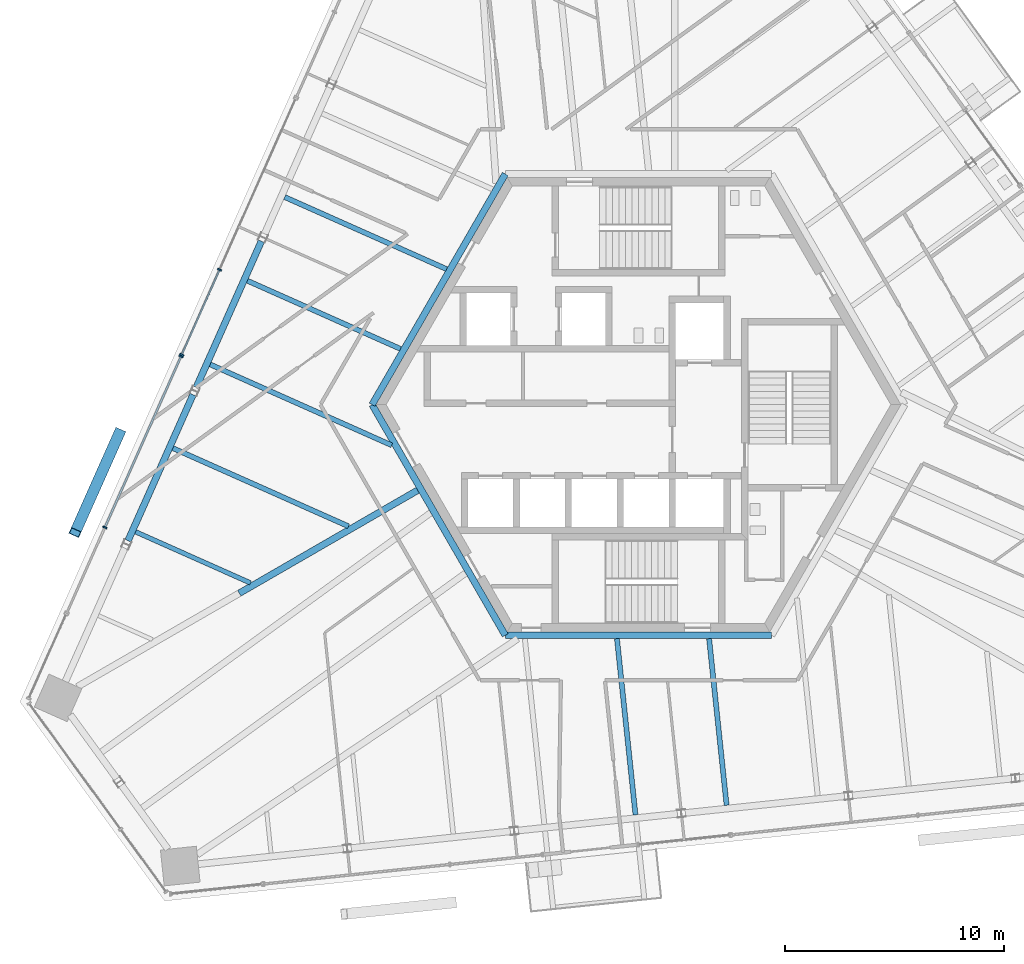
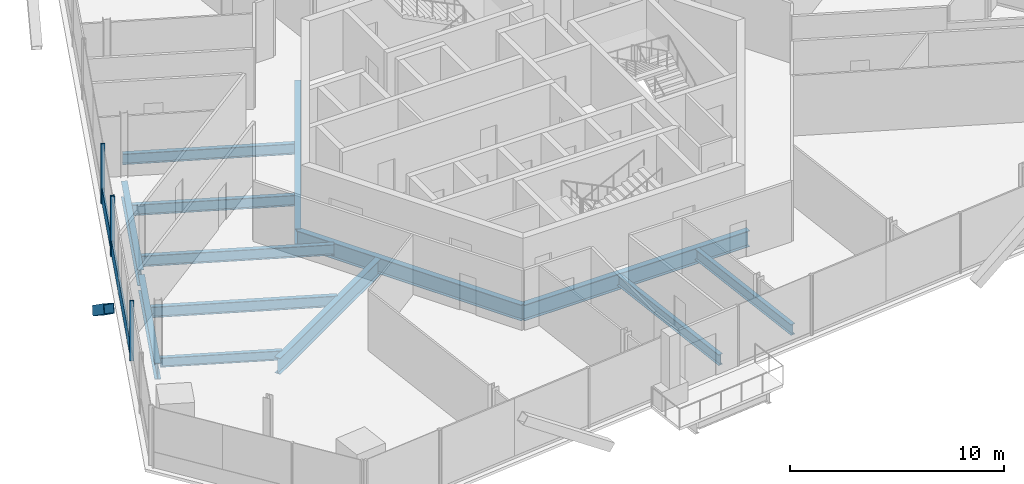
# One storey, part 5 of 19: 13 beams, 7 members, 2 elements without a shape of their own.
"""IFC4 building model written with IfcOpenShell, lengths in metres."""

import ifcopenshell
import ifcopenshell.guid

model = None  # the IFC model being written
_history = None  # IfcOwnerHistory: only IFC2X3 demands one
_inside = {}  # id of a spatial element -> (the spatial element, [elements in it])
_under = {}  # id of a project, library or spatial element -> (it, [spatial elements below it])
_declared = {}  # id of a project -> (the project, [libraries it declares])
_typed = {}  # id of a type object -> (the type object, [elements of that type])
_made_of = {}  # id of a material, layer set ... -> (it, [elements and type objects made of it])


def new_model(schema):
    """Start an empty IFC model of exactly this schema.

    Asked for "IFC4X3", IfcOpenShell would pick the latest addendum, in which some entities
    have other attributes; the version numbers below select the first issue.
    IFC2X3 requires an IfcOwnerHistory on every rooted entity: one is made here for all.
    """
    global model, _history
    if schema == "IFC4X3":
        model = ifcopenshell.file(schema_version=(4, 3, 0, 0))
    else:
        model = ifcopenshell.file(schema=schema)
    _inside.clear()
    _under.clear()
    _declared.clear()
    _typed.clear()
    _made_of.clear()
    _history = None
    if model.schema == "IFC2X3":
        org = make("IfcOrganization", Name="unknown")
        user = make(
            "IfcPersonAndOrganization",
            ThePerson=make("IfcPerson", FamilyName="unknown"),
            TheOrganization=org,
        )
        app = make(
            "IfcApplication",
            ApplicationDeveloper=org,
            Version="unknown",
            ApplicationFullName="unknown",
            ApplicationIdentifier="unknown",
        )
        _history = make(
            "IfcOwnerHistory",
            OwningUser=user,
            OwningApplication=app,
            ChangeAction="ADDED",
            CreationDate=0,
        )
    return model


def make(cls, **values):
    """One entity of the class cls with the attributes given. An attribute that is None is left unset."""
    return model.create_entity(
        cls, **{name: value for name, value in values.items() if value is not None}
    )


def rooted(cls, **values):
    """An entity with a GlobalId (a new one), such as an element, a storey or a relation."""
    return make(cls, GlobalId=ifcopenshell.guid.new(), OwnerHistory=_history, **values)


def si_unit(unit_type, name, prefix=None):
    """IfcSIUnit, for example si_unit("LENGTHUNIT", "METRE", prefix="MILLI")."""
    return make("IfcSIUnit", UnitType=unit_type, Prefix=prefix, Name=name)


def assignment(units):
    """IfcUnitAssignment: the units of a project."""
    return None if units is None else make("IfcUnitAssignment", Units=units)


def point(xyz):
    """IfcCartesianPoint."""
    return None if xyz is None else make("IfcCartesianPoint", Coordinates=xyz)


def direction(xyz):
    """IfcDirection."""
    return None if xyz is None else make("IfcDirection", DirectionRatios=xyz)


def frame(location, z_axis=None, x_axis=None):
    """IfcAxis2Placement3D, a coordinate frame: its origin and axes. An axis left out is left unset."""
    return make(
        "IfcAxis2Placement3D",
        Location=point(location),
        Axis=direction(z_axis),
        RefDirection=direction(x_axis),
    )


def frame_2d(location, x_axis=None):
    """IfcAxis2Placement2D, a coordinate frame in the plane: its origin and x axis."""
    return make(
        "IfcAxis2Placement2D", Location=point(location), RefDirection=direction(x_axis)
    )


def origin():
    """The frame at (0, 0, 0) with its axes left unset."""
    return frame((0.0, 0.0, 0.0))


def origin_2d():
    """The frame at (0, 0) in the plane with its x axis left unset."""
    return frame_2d((0.0, 0.0))


def place(relative_to, where):
    """IfcLocalPlacement: puts the frame where relative to a parent placement (None: the world)."""
    return make(
        "IfcLocalPlacement", PlacementRelTo=relative_to, RelativePlacement=where
    )


def context(
    kind, dimensions, precision=None, world=None, true_north=None, identifier=None
):
    """IfcGeometricRepresentationContext, for example the 3D "Model" context."""
    return make(
        "IfcGeometricRepresentationContext",
        ContextIdentifier=identifier,
        ContextType=kind,
        CoordinateSpaceDimension=dimensions,
        Precision=precision,
        WorldCoordinateSystem=world,
        TrueNorth=true_north,
    )


def subcontext(parent, identifier, kind, view, scale=None):
    """IfcGeometricRepresentationSubContext, for example "Body" below "Model"."""
    return make(
        "IfcGeometricRepresentationSubContext",
        ContextIdentifier=identifier,
        ContextType=kind,
        ParentContext=parent,
        TargetScale=scale,
        TargetView=view,
    )


def project(units=None, contexts=None):
    """IfcProject with its units and contexts."""
    return rooted(
        "IfcProject",
        Name="project",
        RepresentationContexts=contexts,
        UnitsInContext=assignment(units),
    )


def spatial(cls, under=None, at=None, **own):
    """A site, building, storey or space (cls), placed at a placement, below another one or the project."""
    s = rooted(cls, ObjectPlacement=at, **own)
    if under is not None:
        _under.setdefault(under.id(), (under, []))[1].append(s)
    return s


def profile(cls, at=None, kind="AREA", **sizes):
    """A parametric profile (cls). Its sizes go by their IFC names, for example OverallWidth=200.0."""
    return make(cls, ProfileType=kind, Position=at, **sizes)


def rectangle(**sizes):
    """IfcRectangleProfileDef."""
    return profile("IfcRectangleProfileDef", **sizes)


def hollow_rectangle(**sizes):
    """IfcRectangleHollowProfileDef."""
    return profile("IfcRectangleHollowProfileDef", **sizes)


def i_section(**sizes):
    """IfcIShapeProfileDef."""
    return profile("IfcIShapeProfileDef", **sizes)


def extrude(swept, where, along, depth):
    """IfcExtrudedAreaSolid: the profile swept, set in the frame where, extruded along a direction by depth."""
    return make(
        "IfcExtrudedAreaSolid",
        SweptArea=swept,
        Position=where,
        ExtrudedDirection=direction(along),
        Depth=depth,
    )


def shape(context_of_items, identifier, shape_type, items):
    """IfcShapeRepresentation: the items that make up one representation, for example the "Body"."""
    return make(
        "IfcShapeRepresentation",
        ContextOfItems=context_of_items,
        RepresentationIdentifier=identifier,
        RepresentationType=shape_type,
        Items=items,
    )


def source(mapping_origin, context_of_items, identifier, shape_type, items):
    """IfcRepresentationMap: a shape defined once, which mapped items show again and again."""
    return make(
        "IfcRepresentationMap",
        MappingOrigin=mapping_origin,
        MappedRepresentation=shape(context_of_items, identifier, shape_type, items),
    )


def transform(
    local_origin,
    x_axis=None,
    y_axis=None,
    z_axis=None,
    scale=None,
    scale2=None,
    scale3=None,
    uniform=True,
):
    """IfcCartesianTransformationOperator3D, or its non-uniform kind. x_axis, y_axis, z_axis: its Axis1, 2, 3."""
    if uniform:
        return make(
            "IfcCartesianTransformationOperator3D",
            Axis1=direction(x_axis),
            Axis2=direction(y_axis),
            LocalOrigin=point(local_origin),
            Scale=scale,
            Axis3=direction(z_axis),
        )
    return make(
        "IfcCartesianTransformationOperator3DnonUniform",
        Axis1=direction(x_axis),
        Axis2=direction(y_axis),
        LocalOrigin=point(local_origin),
        Scale=scale,
        Axis3=direction(z_axis),
        Scale2=scale2,
        Scale3=scale3,
    )


def mapped(mapping_source, mapping_target):
    """IfcMappedItem: shows the shape of a source again, moved by a transform."""
    return make(
        "IfcMappedItem", MappingSource=mapping_source, MappingTarget=mapping_target
    )


def material(Name=None, Category=None):
    """IfcMaterial."""
    return make("IfcMaterial", Name=Name, Category=Category)


def material_profile(
    of_material, cross_section, Name=None, Category=None, Priority=None
):
    """IfcMaterialProfile: a cross section and its material."""
    return make(
        "IfcMaterialProfile",
        Name=Name,
        Material=of_material,
        Profile=cross_section,
        Priority=Priority,
        Category=Category,
    )


def profile_set(profiles, Name=None, composite=None):
    """IfcMaterialProfileSet."""
    return make(
        "IfcMaterialProfileSet",
        Name=Name,
        MaterialProfiles=profiles,
        CompositeProfile=composite,
    )


def made_of(thing, what):
    """Note that an element or type object is made of a material, layer set ...; save() writes the relation."""
    if what is not None:
        _made_of.setdefault(what.id(), (what, []))[1].append(thing)
    return thing


def type_object(cls, material=None, **own):
    """A type object (cls), such as IfcWallType, which elements share."""
    return made_of(rooted(cls, **own), material)


def element(
    cls,
    number,
    at=None,
    inside=None,
    cuts=None,
    type_object=None,
    material=None,
    context=None,
    identifier="Body",
    shape_type=None,
    held_by="IfcProductDefinitionShape",
    body=None,
    shapes=None,
    **own,
):
    """One element of the class cls, such as IfcWall. Its Tag is "e" and its number.

    at: its placement. inside: the storey or other place that contains it. cuts: it is an
    opening in that element (IfcRelVoidsElement). A single representation is given by context,
    identifier, shape_type and body (its items); several are given by shapes. held_by: the class
    of the entity that holds the representations. save() writes the other relations.
    """
    e = rooted(cls, Tag="e%d" % number, ObjectPlacement=at, **own)
    if body is not None:
        shapes = [shape(context, identifier, shape_type, body)]
    if shapes is not None:
        e.Representation = make(held_by, Representations=shapes)
    if inside is not None:
        _inside.setdefault(inside.id(), (inside, []))[1].append(e)
    if cuts is not None:
        rooted(
            "IfcRelVoidsElement", RelatingBuildingElement=cuts, RelatedOpeningElement=e
        )
    if type_object is not None:
        _typed.setdefault(type_object.id(), (type_object, []))[1].append(e)
    return made_of(e, material)


def aggregate(whole, parts):
    """IfcRelAggregates: a whole, such as a stair, and the parts it consists of."""
    return rooted("IfcRelAggregates", RelatingObject=whole, RelatedObjects=parts)


def save(model, path):
    """Write the relations noted so far, then the file.

    IfcRelAggregates (storeys below a building ...), IfcRelContainedInSpatialStructure (elements
    in a storey), IfcRelDefinesByType, IfcRelAssociatesMaterial and IfcRelDeclares: one each for
    every whole, place, type object, material and project.
    """
    for whole, parts in _under.values():
        aggregate(whole, parts)
    for where, things in _inside.values():
        rooted(
            "IfcRelContainedInSpatialStructure",
            RelatedElements=things,
            RelatingStructure=where,
        )
    for kind, things in _typed.values():
        rooted("IfcRelDefinesByType", RelatedObjects=things, RelatingType=kind)
    for what, things in _made_of.values():
        rooted("IfcRelAssociatesMaterial", RelatedObjects=things, RelatingMaterial=what)
    for by, libraries in _declared.values():
        rooted("IfcRelDeclares", RelatingContext=by, RelatedDefinitions=libraries)
    model.write(path)


model = new_model("IFC4")

# Units and contexts
model_context = context("Model", 3, precision=1e-05, world=origin(), true_north=direction((0.0, 1.0)))
body_context = subcontext(model_context, "Body", "Model", "MODEL_VIEW")
ifc_project = project(units=[si_unit("LENGTHUNIT", "METRE"), si_unit("AREAUNIT", "SQUARE_METRE"), si_unit("VOLUMEUNIT", "CUBIC_METRE"), si_unit("PLANEANGLEUNIT", "RADIAN"), si_unit("MASSUNIT", "GRAM", prefix="KILO")], contexts=[model_context])

# Site, building, storey
site_placement = place(None, origin())
site = spatial("IfcSite", under=ifc_project, at=site_placement, CompositionType="ELEMENT")
building_placement = place(site_placement, origin())
building = spatial("IfcBuilding", under=site, at=building_placement, Name="Triune Harvest Tower", CompositionType="ELEMENT")
storey_placement = place(building_placement, frame((0.0, 0.0, 244.89990234375)))
storey = spatial("IfcBuildingStorey", under=building, at=storey_placement, Name="L64", CompositionType="ELEMENT", Elevation=244.89990234375)

# Beams
ifc_material_1 = material(Name="Steel ASTM A992 Gr 50", Category="steel")
ifc_material_profile_1 = material_profile(ifc_material_1, i_section(OverallWidth=0.3046875, OverallDepth=0.914306640625, WebThickness=0.0166015625, FlangeThickness=0.02587890625, at=origin_2d()), Name="W36x160")
ifc_profile_set_1 = profile_set([ifc_material_profile_1], Name="Steel ASTM A992 Gr 50")
beam_type_1 = type_object("IfcBeamType", Name="CG-1 Core ring girder W36x160", PredefinedType="BEAM", material=ifc_profile_set_1)
shared_shape_1 = source(origin(), body_context, "Body", "SweptSolid", [
    extrude(i_section(OverallWidth=0.3046875, OverallDepth=0.914306640625, WebThickness=0.0166015625, FlangeThickness=0.02587890625, at=origin_2d()), origin(), (0.0, 0.0, 1.0), 12.176025390625),
])
for number, where, z_axis, x_axis, name in (
    (1, (-6.087890625, 10.544677734375, -0.6171875), (-0.5000099932, -0.866019634131, 0.0), (0.866019634131, -0.5000099932, 0.0), "beam/L64/CG3"),
    (2, (-12.176025390625, 0.0, -0.6171875), (0.5000099932, -0.866019634131, 0.0), (0.866019634131, 0.5000099932, 0.0), "beam/L64/CG4"),
):
    element("IfcBeam", number, at=place(storey_placement, frame(where, z_axis=z_axis, x_axis=x_axis)), inside=storey, type_object=beam_type_1, Name=name, PredefinedType="BEAM", context=body_context, shape_type="MappedRepresentation", body=[
        mapped(shared_shape_1, transform((0.0, 0.0, 0.0), scale=1.0)),
    ])
shared_shape_2 = source(origin(), body_context, "Body", "SweptSolid", [
    extrude(i_section(OverallWidth=0.3046875, OverallDepth=0.914306640625, WebThickness=0.0166015625, FlangeThickness=0.02587890625, at=origin_2d()), origin(), (0.0, 0.0, 1.0), 12.17578125),
])
beam_1_placement = place(storey_placement, frame((-6.087890625, -10.544677734375, -0.6171875), z_axis=(1.0, 0.0, 0.0), x_axis=(0.0, 1.0, 0.0)))
element("IfcBeam", 3, at=beam_1_placement, inside=storey, type_object=beam_type_1, Name="beam/L64/CG5", PredefinedType="BEAM", context=body_context, shape_type="MappedRepresentation", body=[
    mapped(shared_shape_2, transform((0.0, 0.0, 0.0), scale=1.0)),
])
ifc_material_2 = material(Name="Steel ASTM A992 Gr 50", Category="steel")
ifc_material_profile_2 = material_profile(ifc_material_2, i_section(OverallWidth=0.3046875, OverallDepth=0.914306640625, WebThickness=0.0166015625, FlangeThickness=0.02587890625, at=origin_2d()), Name="W36x160")
ifc_profile_set_2 = profile_set([ifc_material_profile_2], Name="Steel ASTM A992 Gr 50")
beam_type_2 = type_object("IfcBeamType", Name="HG-3 Hip girder W36x160", PredefinedType="BEAM", material=ifc_profile_set_2)
shared_shape_3 = source(origin(), body_context, "Body", "SweptSolid", [
    extrude(i_section(OverallWidth=0.3046875, OverallDepth=0.914306640625, WebThickness=0.0166015625, FlangeThickness=0.02587890625, at=origin_2d()), origin(), (0.0, 0.0, 1.0), 9.416259765625),
])
beam_2_placement = place(storey_placement, frame((-18.247802734375, -8.62060546875, -0.6171875), z_axis=(0.866032742664, 0.499987288472, 0.0), x_axis=(-0.499987288472, 0.866032742664, 0.0)))
element("IfcBeam", 4, at=beam_2_placement, inside=storey, type_object=beam_type_2, Name="beam/L64/HG6", PredefinedType="BEAM", context=body_context, shape_type="MappedRepresentation", body=[
    mapped(shared_shape_3, transform((0.0, 0.0, 0.0), scale=1.0)),
])
ifc_material_3 = material(Name="Steel ASTM A992 Gr 50", Category="steel")
ifc_material_profile_3 = material_profile(ifc_material_3, i_section(OverallWidth=0.3046875, OverallDepth=0.914306640625, WebThickness=0.0166015625, FlangeThickness=0.02587890625, at=origin_2d()), Name="W36x160")
ifc_profile_set_3 = profile_set([ifc_material_profile_3], Name="Steel ASTM A992 Gr 50")
beam_type_3 = type_object("IfcBeamType", Name="SB-1 Spandrel beam W36x160", PredefinedType="SPANDREL", material=ifc_profile_set_3)
shared_shape_4 = source(origin(), body_context, "Body", "SweptSolid", [
    extrude(i_section(OverallWidth=0.3046875, OverallDepth=0.914306640625, WebThickness=0.0166015625, FlangeThickness=0.02587890625, at=origin_2d()), origin(), (0.0, 0.0, 1.0), 7.311279296875),
])
for number, where, z_axis, x_axis, name in (
    (5, (-17.238525390625, 7.4736328125, -0.6171875), (-0.406748727305, -0.913540077301, 0.0), (0.913540077301, -0.406748727305, 0.0), "beam/L64/SB12"),
    (6, (-20.362060546875, 0.4580078125, -0.6171875), (-0.406720859208, -0.91355248491, 0.0), (0.91355248491, -0.406720859208, 0.0), "beam/L64/SB13"),
):
    element("IfcBeam", number, at=place(storey_placement, frame(where, z_axis=z_axis, x_axis=x_axis)), inside=storey, type_object=beam_type_3, Name=name, PredefinedType="SPANDREL", context=body_context, shape_type="MappedRepresentation", body=[
        mapped(shared_shape_4, transform((0.0, 0.0, 0.0), scale=1.0)),
    ])
ifc_material_4 = material(Name="Steel ASTM A992 Gr 50", Category="steel")
ifc_material_profile_4 = material_profile(ifc_material_4, i_section(OverallWidth=0.22900390625, OverallDepth=0.612060546875, WebThickness=0.011962890625, FlangeThickness=0.01953125, at=origin_2d()), Name="W24x84")
ifc_profile_set_4 = profile_set([ifc_material_profile_4], Name="Steel ASTM A992 Gr 50")
beam_type_4 = type_object("IfcBeamType", Name="JT-3 Floor joist W24x84", PredefinedType="JOIST", material=ifc_profile_set_4)
shared_shape_5 = source(origin(), body_context, "Body", "SweptSolid", [
    extrude(i_section(OverallWidth=0.22900390625, OverallDepth=0.612060546875, WebThickness=0.011962890625, FlangeThickness=0.01953125, at=origin_2d()), origin(), (0.0, 0.0, 1.0), 8.099609375),
])
for number, where, z_axis, x_axis, name in (
    (7, (-16.172607421875, 9.4931640625, -0.466064453125), (0.913545356779, -0.406736869618, 0.0), (0.406736869618, 0.913545356779, 0.0), "beam/L64/JT17"),
    (8, (-0.135009765625, -18.752197265625, -0.466064453125), (-0.104534153452, 0.994521297289, 0.0), (-0.994521297289, -0.104534153452, 0.0), "beam/L64/JT29"),
):
    element("IfcBeam", number, at=place(storey_placement, frame(where, z_axis=z_axis, x_axis=x_axis)), inside=storey, type_object=beam_type_4, Name=name, PredefinedType="JOIST", context=body_context, shape_type="MappedRepresentation", body=[
        mapped(shared_shape_5, transform((0.0, 0.0, 0.0), scale=1.0)),
    ])
shared_shape_6 = source(origin(), body_context, "Body", "SweptSolid", [
    extrude(i_section(OverallWidth=0.22900390625, OverallDepth=0.612060546875, WebThickness=0.011962890625, FlangeThickness=0.01953125, at=origin_2d()), origin(), (0.0, 0.0, 1.0), 7.659423828125),
])
for number, where, z_axis, x_axis, name in (
    (9, (-17.876220703125, 5.66650390625, -0.466064453125), (0.913536623341, -0.406756484663, 0.0), (0.406756484663, 0.913536623341, 0.0), "beam/L64/JT18"),
    (10, (4.031005859375, -18.314453125, -0.466064453125), (-0.104548726976, 0.994519765358, 0.0), (-0.994519765358, -0.104548726976, 0.0), "beam/L64/JT30"),
):
    element("IfcBeam", number, at=place(storey_placement, frame(where, z_axis=z_axis, x_axis=x_axis)), inside=storey, type_object=beam_type_4, Name=name, PredefinedType="JOIST", context=body_context, shape_type="MappedRepresentation", body=[
        mapped(shared_shape_6, transform((0.0, 0.0, 0.0), scale=1.0)),
    ])
shared_shape_7 = source(origin(), body_context, "Body", "SweptSolid", [
    extrude(i_section(OverallWidth=0.22900390625, OverallDepth=0.612060546875, WebThickness=0.011962890625, FlangeThickness=0.01953125, at=origin_2d()), origin(), (0.0, 0.0, 1.0), 9.084716796875),
])
beam_3_placement = place(storey_placement, frame((-19.580078125, 1.83984375, -0.466064453125), z_axis=(0.913546495421, -0.406734312179, 0.0), x_axis=(0.406734312179, 0.913546495421, 0.0)))
element("IfcBeam", 11, at=beam_3_placement, inside=storey, type_object=beam_type_4, Name="beam/L64/JT19", PredefinedType="JOIST", context=body_context, shape_type="MappedRepresentation", body=[
    mapped(shared_shape_7, transform((0.0, 0.0, 0.0), scale=1.0)),
])
shared_shape_8 = source(origin(), body_context, "Body", "SweptSolid", [
    extrude(i_section(OverallWidth=0.22900390625, OverallDepth=0.612060546875, WebThickness=0.011962890625, FlangeThickness=0.01953125, at=origin_2d()), origin(), (0.0, 0.0, 1.0), 8.789306640625),
])
beam_4_placement = place(storey_placement, frame((-21.28369140625, -1.98681640625, -0.466064453125), z_axis=(0.913542165142, -0.406744038074, 0.0), x_axis=(0.406744038074, 0.913542165142, 0.0)))
element("IfcBeam", 12, at=beam_4_placement, inside=storey, type_object=beam_type_4, Name="beam/L64/JT20", PredefinedType="JOIST", context=body_context, shape_type="MappedRepresentation", body=[
    mapped(shared_shape_8, transform((0.0, 0.0, 0.0), scale=1.0)),
])
ifc_material_5 = material(Name="Steel ASTM A992 Gr 50", Category="steel")
ifc_material_profile_5 = material_profile(ifc_material_5, i_section(OverallWidth=0.2099609375, OverallDepth=0.535888671875, WebThickness=0.010986328125, FlangeThickness=0.017333984375, at=origin_2d()), Name="W21x68")
ifc_profile_set_5 = profile_set([ifc_material_profile_5], Name="Steel ASTM A992 Gr 50")
beam_type_5 = type_object("IfcBeamType", Name="JT-2 Floor joist W21x68", PredefinedType="JOIST", material=ifc_profile_set_5)
shared_shape_9 = source(origin(), body_context, "Body", "SweptSolid", [
    extrude(i_section(OverallWidth=0.2099609375, OverallDepth=0.535888671875, WebThickness=0.010986328125, FlangeThickness=0.017333984375, at=origin_2d()), origin(), (0.0, 0.0, 1.0), 5.745849609375),
])
beam_5_placement = place(storey_placement, frame((-22.987548828125, -5.8134765625, -0.427978515625), z_axis=(0.913552037091, -0.406721865071, 0.0), x_axis=(0.406721865071, 0.913552037091, 0.0)))
element("IfcBeam", 13, at=beam_5_placement, inside=storey, type_object=beam_type_5, Name="beam/L64/JT21", PredefinedType="JOIST", context=body_context, shape_type="MappedRepresentation", body=[
    mapped(shared_shape_9, transform((0.0, 0.0, 0.0), scale=1.0)),
])

# Member
ifc_material_6 = material(Name="Steel ASTM A572 Gr 50", Category="steel")
ifc_material_profile_6 = material_profile(ifc_material_6, hollow_rectangle(XDim=0.5, YDim=0.5, WallThickness=0.030029296875, at=origin_2d()), Name="Box 500x500x30")
ifc_profile_set_6 = profile_set([ifc_material_profile_6], Name="Steel ASTM A572 Gr 50")
member_type_1 = type_object("IfcMemberType", Name="BR-3 Brace Box 500x500x30", PredefinedType="BRACE", material=ifc_profile_set_6)
shared_shape_10 = source(origin(), body_context, "Body", "SweptSolid", [
    extrude(hollow_rectangle(XDim=0.5, YDim=0.5, WallThickness=0.030029296875, at=origin_2d()), origin(), (0.0, 0.0, 1.0), 6.1708984375),
])
member_1_placement = place(storey_placement, frame((-23.719970703125, -1.267822265625, 0.0), z_axis=(-0.330316790088, -0.741976414099, 0.583405364311), x_axis=(0.913560276949, -0.406703356737, 0.0)))
element("IfcMember", 14, at=member_1_placement, inside=storey, type_object=member_type_1, Name="brace/B6-F3/d1/8", PredefinedType="BRACE", context=body_context, shape_type="MappedRepresentation", body=[
    mapped(shared_shape_10, transform((0.0, 0.0, 0.0), scale=1.0)),
])

# Curtain wall, members
ifc_material_7 = material(Name="Aluminium bronze anodised", Category="aluminium")
curtain_wall_type_1 = type_object("IfcCurtainWallType", Name="CW-1 Tower stick curtain wall", PredefinedType="NOTDEFINED", material=ifc_material_7)
curtain_wall_1_placement = place(storey_placement, origin())
curtain_wall_1 = element("IfcCurtainWall", 15, at=curtain_wall_1_placement, inside=storey, type_object=curtain_wall_type_1, Name="CW-1 B6-F3 L64 run 2001")
ifc_material_8 = material(Name="Aluminium bronze anodised", Category="aluminium")
ifc_material_profile_7 = material_profile(ifc_material_8, rectangle(XDim=0.199951171875, YDim=0.074951171875, at=origin_2d()), Name="MU-1 mullion 75 x 200")
ifc_profile_set_7 = profile_set([ifc_material_profile_7], Name="Aluminium bronze anodised")
member_type_2 = type_object("IfcMemberType", Name="MU-1 mullion 75 x 200", PredefinedType="MULLION", material=ifc_profile_set_7)
shared_shape_11 = source(origin(), body_context, "Body", "SweptSolid", [
    extrude(rectangle(XDim=0.199951171875, YDim=0.074951171875, at=origin_2d()), origin(), (0.0, 0.0, 1.0), 3.440185546875),
])
member_2_placement = place(storey_placement, frame((-19.148681640625, 6.172119140625, 0.0), z_axis=(0.0, 0.0, 1.0), x_axis=(0.913542187998, -0.406743986739, 0.0)))
member_2 = element("IfcMember", 16, at=member_2_placement, type_object=member_type_2, Name="CW-1 mullion B6-F3 2001.3", PredefinedType="MULLION", context=body_context, shape_type="MappedRepresentation", body=[
    mapped(shared_shape_11, transform((0.0, 0.0, 0.0), scale=1.0)),
])
member_3_placement = place(storey_placement, frame((-20.88232421875, 2.278076171875, 0.0), z_axis=(0.0, 0.0, 1.0), x_axis=(0.913542187998, -0.406743986739, 0.0)))
member_3 = element("IfcMember", 17, at=member_3_placement, type_object=member_type_2, Name="CW-1 mullion B6-F3 2001.4", PredefinedType="MULLION", context=body_context, shape_type="MappedRepresentation", body=[
    mapped(shared_shape_11, transform((0.0, 0.0, 0.0), scale=1.0)),
])

ifc_material_9 = material(Name="Aluminium bronze anodised", Category="aluminium")
curtain_wall_type_2 = type_object("IfcCurtainWallType", Name="CW-7 Tower stick curtain wall with insulated spandrel infill", PredefinedType="NOTDEFINED", material=ifc_material_9)
curtain_wall_2_placement = place(storey_placement, origin())
curtain_wall_2 = element("IfcCurtainWall", 18, at=curtain_wall_2_placement, inside=storey, type_object=curtain_wall_type_2, Name="CW-7 B6-F3 L64 run 3001")
member_4_placement = place(storey_placement, frame((-20.912841796875, 2.20947265625, 0.0), z_axis=(0.0, 0.0, 1.0), x_axis=(0.913546350866, -0.406734636858, 0.0)))
member_4 = element("IfcMember", 19, at=member_4_placement, type_object=member_type_2, Name="CW-7 mullion B6-F3 3001.1", PredefinedType="MULLION", context=body_context, shape_type="MappedRepresentation", body=[
    mapped(shared_shape_11, transform((0.0, 0.0, 0.0), scale=1.0)),
])
member_5_placement = place(storey_placement, frame((-24.3955078125, -5.61279296875, 0.0), z_axis=(0.0, 0.0, 1.0), x_axis=(0.913546350866, -0.406734636858, 0.0)))
member_5 = element("IfcMember", 20, at=member_5_placement, type_object=member_type_2, Name="CW-7 mullion B6-F3 3001.3", PredefinedType="MULLION", context=body_context, shape_type="MappedRepresentation", body=[
    mapped(shared_shape_11, transform((0.0, 0.0, 0.0), scale=1.0)),
])
ifc_material_10 = material(Name="Aluminium bronze anodised", Category="aluminium")
ifc_material_profile_8 = material_profile(ifc_material_10, rectangle(XDim=0.090087890625, YDim=0.89990234375, at=origin_2d()), Name="TR-1 transom 90 x 900")
ifc_profile_set_8 = profile_set([ifc_material_profile_8], Name="Aluminium bronze anodised")
member_type_3 = type_object("IfcMemberType", Name="TR-1 transom 90 x 900", PredefinedType="USERDEFINED", material=ifc_profile_set_8)
shared_shape_12 = source(origin(), body_context, "Body", "SweptSolid", [
    extrude(rectangle(XDim=0.090087890625, YDim=0.89990234375, at=origin_2d()), origin(), (0.0, 0.0, 1.0), 8.487548828125),
])
member_6_placement = place(storey_placement, frame((-20.92822265625, 2.17529296875, 0.4501953125), z_axis=(-0.406736215364, -0.913545648072, 0.0), x_axis=(0.913545648072, -0.406736215364, 0.0)))
member_6 = element("IfcMember", 21, at=member_6_placement, type_object=member_type_3, Name="CW-7 transom B6-F3 3001.1", ObjectType="TRANSOM", PredefinedType="USERDEFINED", context=body_context, shape_type="MappedRepresentation", body=[
    mapped(shared_shape_12, transform((0.0, 0.0, 0.0), scale=1.0)),
])
aggregate(curtain_wall_2, [member_4, member_5, member_6])

# Member
shared_shape_13 = source(origin(), body_context, "Body", "SweptSolid", [
    extrude(rectangle(XDim=0.090087890625, YDim=0.89990234375, at=origin_2d()), origin(), (0.0, 0.0, 1.0), 4.1875),
])
member_7_placement = place(storey_placement, frame((-19.163818359375, 6.1376953125, 0.4501953125), z_axis=(-0.40677127315, -0.913530038554, 0.0), x_axis=(0.913530038554, -0.40677127315, 0.0)))
member_7 = element("IfcMember", 22, at=member_7_placement, type_object=member_type_3, Name="CW-1 transom B6-F3 2001.2", ObjectType="TRANSOM", PredefinedType="USERDEFINED", context=body_context, shape_type="MappedRepresentation", body=[
    mapped(shared_shape_13, transform((0.0, 0.0, 0.0), scale=1.0)),
])

aggregate(curtain_wall_1, [member_2, member_3, member_7])

save(model, "model.ifc")
